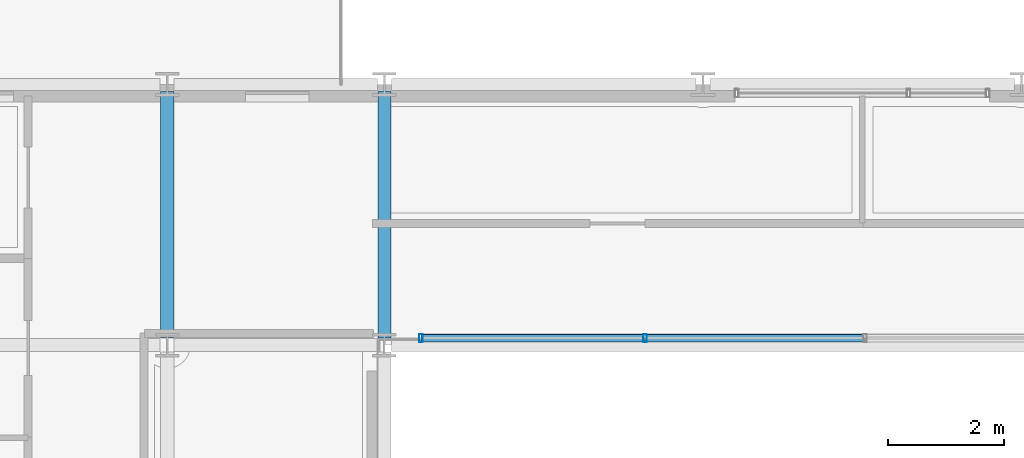
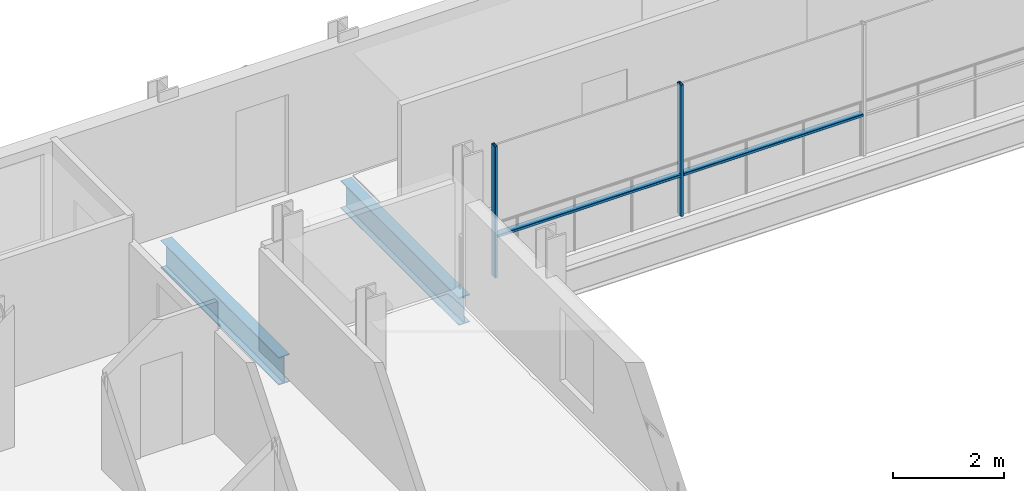
# One storey, part 11 of 41: 4 members, 2 beams, 1 element without a shape of its own.
"""IFC4 building model written with IfcOpenShell, lengths in metres."""

from ifc_helpers import new_model, si_unit, direction, frame, origin, origin_2d, place, context, subcontext, project, spatial, hollow_rectangle, i_section, extrude, material, layer, layer_set, material_profile, profile_set, type_object, element, aggregate, save


model = new_model("IFC4")

# Units and contexts
model_context = context("Model", 3, precision=1e-05, world=origin(), true_north=direction((0.0, 1.0)))
body_context = subcontext(model_context, "Body", "Model", "MODEL_VIEW")
ifc_project = project(units=[si_unit("LENGTHUNIT", "METRE"), si_unit("AREAUNIT", "SQUARE_METRE"), si_unit("VOLUMEUNIT", "CUBIC_METRE"), si_unit("PLANEANGLEUNIT", "RADIAN"), si_unit("MASSUNIT", "GRAM", prefix="KILO")], contexts=[model_context])

# Site, building, storey
site_placement = place(None, origin())
site = spatial("IfcSite", under=ifc_project, at=site_placement, CompositionType="ELEMENT")
building_placement = place(site_placement, origin())
building = spatial("IfcBuilding", under=site, at=building_placement, Name="Brevholm Reach", CompositionType="ELEMENT")
storey_placement = place(building_placement, frame((0.0, 0.0, 169.699951171875)))
storey = spatial("IfcBuildingStorey", under=building, at=storey_placement, Name="L51", CompositionType="ELEMENT", Elevation=169.699951171875)

# Beams
ifc_material_1 = material(Name="Structural Steel S355J2", Category="steel")
ifc_material_profile_1 = material_profile(ifc_material_1, i_section(OverallWidth=0.22900390625, OverallDepth=0.6123046875, WebThickness=0.011962890625, FlangeThickness=0.01953125, FilletRadius=0.0126953125, at=origin_2d()), Name="UKB 610x229x125")
ifc_profile_set_1 = profile_set([ifc_material_profile_1], Name="Structural Steel S355J2")
beam_type = type_object("IfcBeamType", Name="BM-SP610", PredefinedType="SPANDREL", material=ifc_profile_set_1)
for number, where, z_axis, x_axis, name in (
    (1, (18.0, 26.6201171875, -0.526123046875), (0.0, 1.0, 0.0), (-1.0, 0.0, 0.0), "L51 SP-01 Framing Beam"),
    (2, (21.75, 26.6201171875, -0.526123046875), (0.0, 1.0, 0.0), (-1.0, 0.0, 0.0), "L51 SP-01 Framing Beam"),
):
    element("IfcBeam", number, at=place(storey_placement, frame(where, z_axis=z_axis, x_axis=x_axis)), inside=storey, type_object=beam_type, Name=name, PredefinedType="SPANDREL", context=body_context, shape_type="SweptSolid", body=[
        extrude(i_section(OverallWidth=0.22900390625, OverallDepth=0.6123046875, WebThickness=0.011962890625, FlangeThickness=0.01953125, FilletRadius=0.0126953125, at=origin_2d()), origin(), (0.0, 0.0, 1.0), 4.259765625),
    ])

# Curtain wall, members
ifc_material_2 = material(Name="Dark Anodised Aluminium 6063-T6 and Solar-Control Glass", Category="aluminium")
ifc_layer = layer(ifc_material_2, 0.139892578125)
ifc_layer_set = layer_set([ifc_layer], Name="Dark Anodised Aluminium 6063-T6 and Solar-Control Glass")
curtain_wall_type = type_object("IfcCurtainWallType", Name="CW-02", PredefinedType="NOTDEFINED", material=ifc_layer_set)
curtain_wall_placement = place(storey_placement, origin())
curtain_wall = element("IfcCurtainWall", 3, at=curtain_wall_placement, inside=storey, type_object=curtain_wall_type, Name="L51 Curtain Wall CW-02", PredefinedType="NOTDEFINED")
ifc_material_3 = material(Name="Dark Anodised Aluminium 6063-T6", Category="aluminium")
ifc_material_profile_2 = material_profile(ifc_material_3, hollow_rectangle(XDim=0.06005859375, YDim=0.139892578125, WallThickness=0.0048828125, InnerFilletRadius=0.0048828125, OuterFilletRadius=0.010009765625, at=origin_2d()), Name="RHS 140x60x5")
ifc_profile_set_2 = profile_set([ifc_material_profile_2], Name="Dark Anodised Aluminium 6063-T6")
member_type_1 = type_object("IfcMemberType", Name="CWM-140", PredefinedType="MULLION", material=ifc_profile_set_2)
member_1_placement = place(storey_placement, frame((26.25, 26.6201171875, 0.0), z_axis=(0.0, 0.0, 1.0), x_axis=(-1.0, 0.0, 0.0)))
member_1 = element("IfcMember", 4, at=member_1_placement, type_object=member_type_1, Name="CM-140 Mullion 4", PredefinedType="MULLION", context=body_context, shape_type="SweptSolid", body=[
    extrude(hollow_rectangle(XDim=0.06005859375, YDim=0.139892578125, WallThickness=0.0048828125, InnerFilletRadius=0.0048828125, OuterFilletRadius=0.010009765625, at=origin_2d()), origin(), (0.0, 0.0, 1.0), 2.89013671875),
])
member_2_placement = place(storey_placement, frame((22.3798828125, 26.6201171875, 0.0), z_axis=(0.0, 0.0, 1.0), x_axis=(-1.0, 0.0, 0.0)))
member_2 = element("IfcMember", 5, at=member_2_placement, type_object=member_type_1, Name="CM-140 Mullion 5", PredefinedType="MULLION", context=body_context, shape_type="SweptSolid", body=[
    extrude(hollow_rectangle(XDim=0.06005859375, YDim=0.139892578125, WallThickness=0.0048828125, InnerFilletRadius=0.0048828125, OuterFilletRadius=0.010009765625, at=origin_2d()), origin(), (0.0, 0.0, 1.0), 2.89013671875),
])
ifc_material_4 = material(Name="Dark Anodised Aluminium 6063-T6", Category="aluminium")
ifc_material_profile_3 = material_profile(ifc_material_4, hollow_rectangle(XDim=0.06005859375, YDim=0.139892578125, WallThickness=0.0048828125, InnerFilletRadius=0.0048828125, OuterFilletRadius=0.010009765625, at=origin_2d()), Name="RHS 140x60x5")
ifc_profile_set_3 = profile_set([ifc_material_profile_3], Name="Dark Anodised Aluminium 6063-T6")
member_type_2 = type_object("IfcMemberType", Name="CWT-140", PredefinedType="NOTDEFINED", material=ifc_profile_set_3)
member_3_placement = place(storey_placement, frame((30.02001953125, 26.6201171875, 0.900146484375), z_axis=(-1.0, 0.0, 0.0), x_axis=(0.0, 0.0, 1.0)))
member_3 = element("IfcMember", 6, at=member_3_placement, type_object=member_type_2, Name="CT-140 Transom 3.1", ObjectType="TRANSOM", PredefinedType="USERDEFINED", context=body_context, shape_type="SweptSolid", body=[
    extrude(hollow_rectangle(XDim=0.06005859375, YDim=0.139892578125, WallThickness=0.0048828125, InnerFilletRadius=0.0048828125, OuterFilletRadius=0.010009765625, at=origin_2d()), origin(), (0.0, 0.0, 1.0), 3.739990234375),
])
member_4_placement = place(storey_placement, frame((26.219970703125, 26.6201171875, 0.900146484375), z_axis=(-1.0, 0.0, 0.0), x_axis=(0.0, 0.0, 1.0)))
member_4 = element("IfcMember", 7, at=member_4_placement, type_object=member_type_2, Name="CT-140 Transom 4.1", ObjectType="TRANSOM", PredefinedType="USERDEFINED", context=body_context, shape_type="SweptSolid", body=[
    extrude(hollow_rectangle(XDim=0.06005859375, YDim=0.139892578125, WallThickness=0.0048828125, InnerFilletRadius=0.0048828125, OuterFilletRadius=0.010009765625, at=origin_2d()), origin(), (0.0, 0.0, 1.0), 3.81005859375),
])
aggregate(curtain_wall, [member_1, member_2, member_3, member_4])

save(model, "model.ifc")
